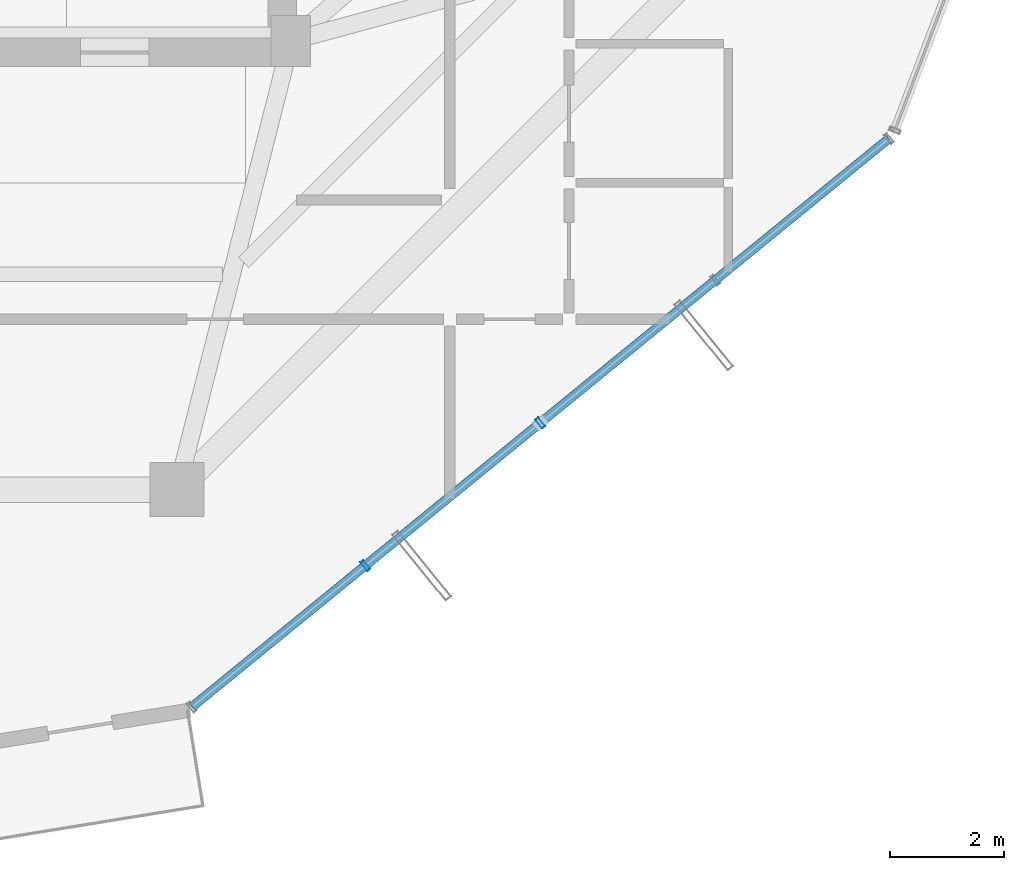
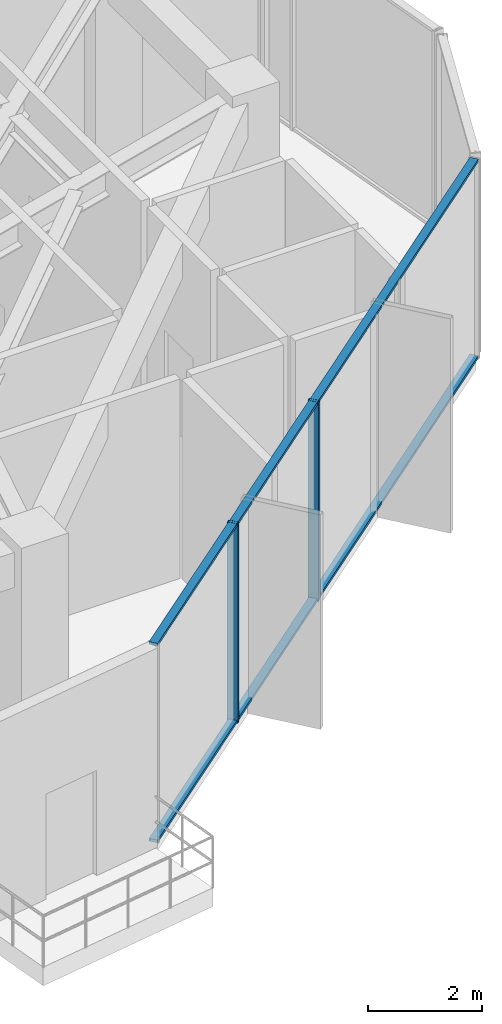
# One storey, part 5 of 22: 4 members, 1 element without a shape of its own.
"""IFC4 building model written with IfcOpenShell, lengths in metres."""

from ifc_helpers import new_model, si_unit, direction, frame, origin, origin_2d, place, context, subcontext, project, spatial, hollow_rectangle, extrude, source, transform, mapped, material, layer, layer_set, material_profile, profile_set, type_object, element, aggregate, save


model = new_model("IFC4")

# Units and contexts
model_context = context("Model", 3, precision=1e-05, world=origin(), true_north=direction((0.0, 1.0)))
body_context = subcontext(model_context, "Body", "Model", "MODEL_VIEW")
ifc_project = project(units=[si_unit("LENGTHUNIT", "METRE"), si_unit("AREAUNIT", "SQUARE_METRE"), si_unit("VOLUMEUNIT", "CUBIC_METRE"), si_unit("PLANEANGLEUNIT", "RADIAN"), si_unit("MASSUNIT", "GRAM", prefix="KILO")], contexts=[model_context])

# Site, building, storey
site_placement = place(None, origin())
site = spatial("IfcSite", under=ifc_project, at=site_placement, CompositionType="ELEMENT")
building_placement = place(site_placement, origin())
building = spatial("IfcBuilding", under=site, at=building_placement, Name="Veraguas Prism Commons", CompositionType="ELEMENT")
storey_placement = place(building_placement, frame((0.0, 0.0, 174.35009765625)))
storey = spatial("IfcBuildingStorey", under=building, at=storey_placement, Name="L49", CompositionType="ELEMENT", Elevation=174.35009765625)

# Curtain wall, members
ifc_material = material(Name="Anodised aluminium EN AW-6063 T6", Category="aluminium")
ifc_layer = layer(ifc_material, 0.199951171875, Name="Sky Lobby and Pool Acoustic Curtain Wall", Category="aluminium")
ifc_layer_set = layer_set([ifc_layer], Name="Anodised aluminium EN AW-6063 T6")
curtain_wall_type = type_object("IfcCurtainWallType", Name="Sky Lobby and Pool Acoustic Curtain Wall", PredefinedType="NOTDEFINED", material=ifc_layer_set)
curtain_wall_placement = place(storey_placement, origin())
curtain_wall = element("IfcCurtainWall", 1, at=curtain_wall_placement, inside=storey, type_object=curtain_wall_type, Name="Tower Facade Curtain Wall L49-F5", PredefinedType="NOTDEFINED")
ifc_material_profile_1 = material_profile(ifc_material, hollow_rectangle(XDim=0.06494140625, YDim=0.199951171875, WallThickness=0.00390625, at=origin_2d()), Name="AL65X200X4")
ifc_profile_set_1 = profile_set([ifc_material_profile_1], Name="Anodised aluminium EN AW-6063 T6")
member_type_1 = type_object("IfcMemberType", Name="Curtain Wall Mullion Heavy AL 65x200x4", PredefinedType="MULLION", material=ifc_profile_set_1)
shared_shape_1 = source(origin(), body_context, "Body", "SweptSolid", [
    extrude(hollow_rectangle(XDim=0.06494140625, YDim=0.199951171875, WallThickness=0.00390625, at=origin_2d()), origin(), (0.0, 0.0, 1.0), 4.264892578125),
])
member_1_placement = place(storey_placement, frame((32.112548828125, 7.762939453125, 0.0), z_axis=(0.0, 0.0, 1.0), x_axis=(0.774941179396, 0.632033360256, 0.0)))
member_1 = element("IfcMember", 2, at=member_1_placement, type_object=member_type_1, Name="CW-SKY Mullion 2", PredefinedType="MULLION", context=body_context, shape_type="MappedRepresentation", body=[
    mapped(shared_shape_1, transform((0.0, 0.0, 0.0), scale=1.0)),
])
member_2_placement = place(storey_placement, frame((35.193359375, 10.275634765625, 0.0), z_axis=(0.0, 0.0, 1.0), x_axis=(0.774941179396, 0.632033360256, 0.0)))
member_2 = element("IfcMember", 3, at=member_2_placement, type_object=member_type_1, Name="CW-SKY Mullion 3", PredefinedType="MULLION", context=body_context, shape_type="MappedRepresentation", body=[
    mapped(shared_shape_1, transform((0.0, 0.0, 0.0), scale=1.0)),
])
ifc_material_profile_2 = material_profile(ifc_material, hollow_rectangle(XDim=0.06005859375, YDim=0.159912109375, WallThickness=0.0029296875, at=origin_2d()), Name="AL60X160X3")
ifc_profile_set_2 = profile_set([ifc_material_profile_2], Name="Anodised aluminium EN AW-6063 T6")
member_type_2 = type_object("IfcMemberType", Name="Curtain Wall Transom Heavy AL 60x160x3", PredefinedType="USERDEFINED", material=ifc_profile_set_2)
shared_shape_2 = source(origin(), body_context, "Body", "SweptSolid", [
    extrude(hollow_rectangle(XDim=0.06005859375, YDim=0.159912109375, WallThickness=0.0029296875, at=origin_2d()), origin(), (0.0, 0.0, 1.0), 15.83740234375),
])
member_3_placement = place(storey_placement, frame((29.056884765625, 5.270751953125, 0.02978515625), z_axis=(0.774938535736, 0.632036601655, 0.0), x_axis=(0.0, 0.0, 1.0)))
member_3 = element("IfcMember", 4, at=member_3_placement, type_object=member_type_2, Name="CW-SKY Transom 1", ObjectType="TRANSOM", PredefinedType="USERDEFINED", context=body_context, shape_type="MappedRepresentation", body=[
    mapped(shared_shape_2, transform((0.0, 0.0, 0.0), scale=1.0)),
])
member_4_placement = place(storey_placement, frame((29.056884765625, 5.270751953125, 4.23486328125), z_axis=(0.774938535736, 0.632036601655, 0.0), x_axis=(0.0, 0.0, 1.0)))
member_4 = element("IfcMember", 5, at=member_4_placement, type_object=member_type_2, Name="CW-SKY Transom 2", ObjectType="TRANSOM", PredefinedType="USERDEFINED", context=body_context, shape_type="MappedRepresentation", body=[
    mapped(shared_shape_2, transform((0.0, 0.0, 0.0), scale=1.0)),
])
aggregate(curtain_wall, [member_1, member_2, member_3, member_4])

save(model, "model.ifc")
